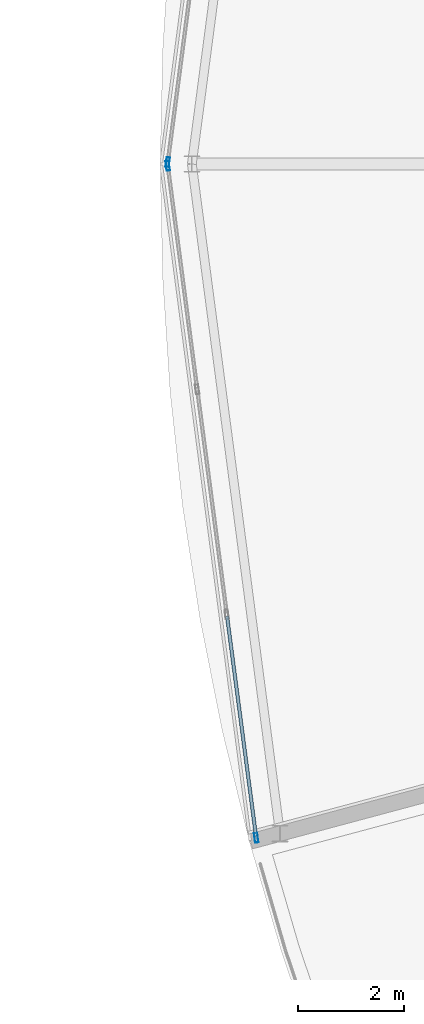
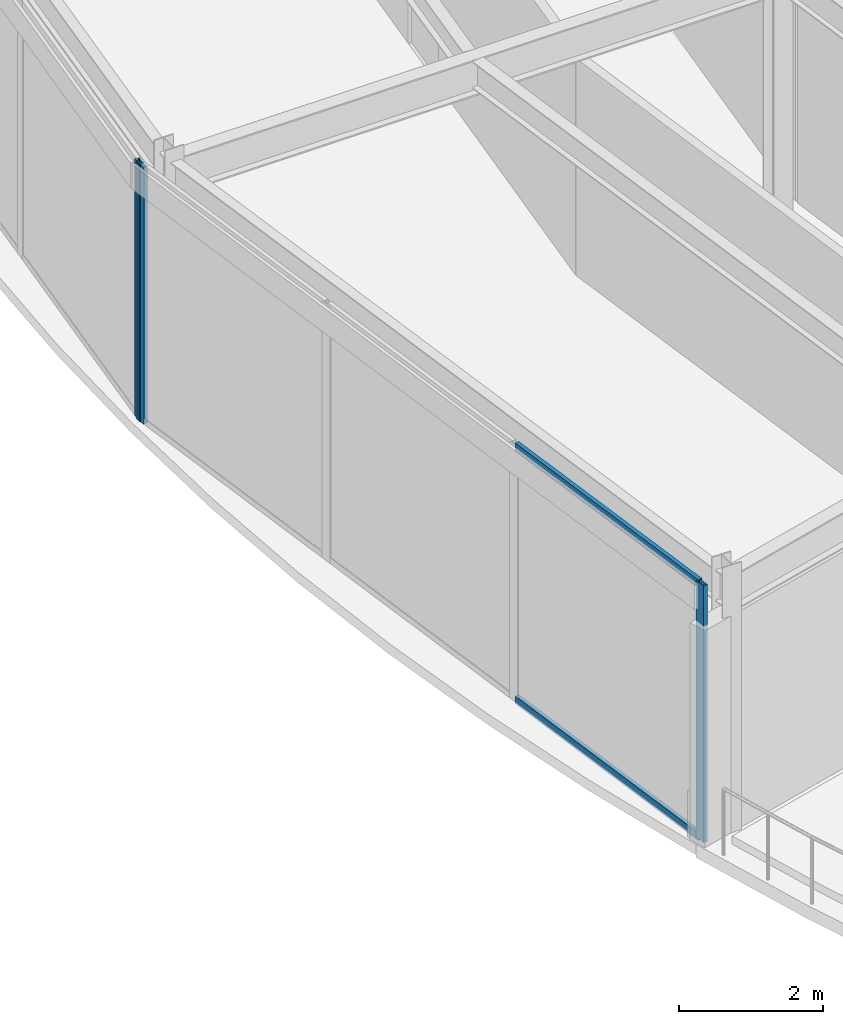
# One storey, part 18 of 116: 5 members, 2 elements without a shape of their own.
"""IFC4 building model written with IfcOpenShell, lengths in metres."""

import ifcopenshell
import ifcopenshell.guid

model = None  # the IFC model being written
_history = None  # IfcOwnerHistory: only IFC2X3 demands one
_inside = {}  # id of a spatial element -> (the spatial element, [elements in it])
_under = {}  # id of a project, library or spatial element -> (it, [spatial elements below it])
_declared = {}  # id of a project -> (the project, [libraries it declares])
_typed = {}  # id of a type object -> (the type object, [elements of that type])
_made_of = {}  # id of a material, layer set ... -> (it, [elements and type objects made of it])


def new_model(schema):
    """Start an empty IFC model of exactly this schema.

    Asked for "IFC4X3", IfcOpenShell would pick the latest addendum, in which some entities
    have other attributes; the version numbers below select the first issue.
    IFC2X3 requires an IfcOwnerHistory on every rooted entity: one is made here for all.
    """
    global model, _history
    if schema == "IFC4X3":
        model = ifcopenshell.file(schema_version=(4, 3, 0, 0))
    else:
        model = ifcopenshell.file(schema=schema)
    _inside.clear()
    _under.clear()
    _declared.clear()
    _typed.clear()
    _made_of.clear()
    _history = None
    if model.schema == "IFC2X3":
        org = make("IfcOrganization", Name="unknown")
        user = make(
            "IfcPersonAndOrganization",
            ThePerson=make("IfcPerson", FamilyName="unknown"),
            TheOrganization=org,
        )
        app = make(
            "IfcApplication",
            ApplicationDeveloper=org,
            Version="unknown",
            ApplicationFullName="unknown",
            ApplicationIdentifier="unknown",
        )
        _history = make(
            "IfcOwnerHistory",
            OwningUser=user,
            OwningApplication=app,
            ChangeAction="ADDED",
            CreationDate=0,
        )
    return model


def make(cls, **values):
    """One entity of the class cls with the attributes given. An attribute that is None is left unset."""
    return model.create_entity(
        cls, **{name: value for name, value in values.items() if value is not None}
    )


def rooted(cls, **values):
    """An entity with a GlobalId (a new one), such as an element, a storey or a relation."""
    return make(cls, GlobalId=ifcopenshell.guid.new(), OwnerHistory=_history, **values)


def si_unit(unit_type, name, prefix=None):
    """IfcSIUnit, for example si_unit("LENGTHUNIT", "METRE", prefix="MILLI")."""
    return make("IfcSIUnit", UnitType=unit_type, Prefix=prefix, Name=name)


def assignment(units):
    """IfcUnitAssignment: the units of a project."""
    return None if units is None else make("IfcUnitAssignment", Units=units)


def point(xyz):
    """IfcCartesianPoint."""
    return None if xyz is None else make("IfcCartesianPoint", Coordinates=xyz)


def direction(xyz):
    """IfcDirection."""
    return None if xyz is None else make("IfcDirection", DirectionRatios=xyz)


def frame(location, z_axis=None, x_axis=None):
    """IfcAxis2Placement3D, a coordinate frame: its origin and axes. An axis left out is left unset."""
    return make(
        "IfcAxis2Placement3D",
        Location=point(location),
        Axis=direction(z_axis),
        RefDirection=direction(x_axis),
    )


def frame_2d(location, x_axis=None):
    """IfcAxis2Placement2D, a coordinate frame in the plane: its origin and x axis."""
    return make(
        "IfcAxis2Placement2D", Location=point(location), RefDirection=direction(x_axis)
    )


def origin():
    """The frame at (0, 0, 0) with its axes left unset."""
    return frame((0.0, 0.0, 0.0))


def origin_2d():
    """The frame at (0, 0) in the plane with its x axis left unset."""
    return frame_2d((0.0, 0.0))


def place(relative_to, where):
    """IfcLocalPlacement: puts the frame where relative to a parent placement (None: the world)."""
    return make(
        "IfcLocalPlacement", PlacementRelTo=relative_to, RelativePlacement=where
    )


def context(
    kind, dimensions, precision=None, world=None, true_north=None, identifier=None
):
    """IfcGeometricRepresentationContext, for example the 3D "Model" context."""
    return make(
        "IfcGeometricRepresentationContext",
        ContextIdentifier=identifier,
        ContextType=kind,
        CoordinateSpaceDimension=dimensions,
        Precision=precision,
        WorldCoordinateSystem=world,
        TrueNorth=true_north,
    )


def subcontext(parent, identifier, kind, view, scale=None):
    """IfcGeometricRepresentationSubContext, for example "Body" below "Model"."""
    return make(
        "IfcGeometricRepresentationSubContext",
        ContextIdentifier=identifier,
        ContextType=kind,
        ParentContext=parent,
        TargetScale=scale,
        TargetView=view,
    )


def project(units=None, contexts=None):
    """IfcProject with its units and contexts."""
    return rooted(
        "IfcProject",
        Name="project",
        RepresentationContexts=contexts,
        UnitsInContext=assignment(units),
    )


def spatial(cls, under=None, at=None, **own):
    """A site, building, storey or space (cls), placed at a placement, below another one or the project."""
    s = rooted(cls, ObjectPlacement=at, **own)
    if under is not None:
        _under.setdefault(under.id(), (under, []))[1].append(s)
    return s


def profile(cls, at=None, kind="AREA", **sizes):
    """A parametric profile (cls). Its sizes go by their IFC names, for example OverallWidth=200.0."""
    return make(cls, ProfileType=kind, Position=at, **sizes)


def hollow_rectangle(**sizes):
    """IfcRectangleHollowProfileDef."""
    return profile("IfcRectangleHollowProfileDef", **sizes)


def extrude(swept, where, along, depth):
    """IfcExtrudedAreaSolid: the profile swept, set in the frame where, extruded along a direction by depth."""
    return make(
        "IfcExtrudedAreaSolid",
        SweptArea=swept,
        Position=where,
        ExtrudedDirection=direction(along),
        Depth=depth,
    )


def shape(context_of_items, identifier, shape_type, items):
    """IfcShapeRepresentation: the items that make up one representation, for example the "Body"."""
    return make(
        "IfcShapeRepresentation",
        ContextOfItems=context_of_items,
        RepresentationIdentifier=identifier,
        RepresentationType=shape_type,
        Items=items,
    )


def material(Name=None, Category=None):
    """IfcMaterial."""
    return make("IfcMaterial", Name=Name, Category=Category)


def material_profile(
    of_material, cross_section, Name=None, Category=None, Priority=None
):
    """IfcMaterialProfile: a cross section and its material."""
    return make(
        "IfcMaterialProfile",
        Name=Name,
        Material=of_material,
        Profile=cross_section,
        Priority=Priority,
        Category=Category,
    )


def profile_set(profiles, Name=None, composite=None):
    """IfcMaterialProfileSet."""
    return make(
        "IfcMaterialProfileSet",
        Name=Name,
        MaterialProfiles=profiles,
        CompositeProfile=composite,
    )


def made_of(thing, what):
    """Note that an element or type object is made of a material, layer set ...; save() writes the relation."""
    if what is not None:
        _made_of.setdefault(what.id(), (what, []))[1].append(thing)
    return thing


def type_object(cls, material=None, **own):
    """A type object (cls), such as IfcWallType, which elements share."""
    return made_of(rooted(cls, **own), material)


def element(
    cls,
    number,
    at=None,
    inside=None,
    cuts=None,
    type_object=None,
    material=None,
    context=None,
    identifier="Body",
    shape_type=None,
    held_by="IfcProductDefinitionShape",
    body=None,
    shapes=None,
    **own,
):
    """One element of the class cls, such as IfcWall. Its Tag is "e" and its number.

    at: its placement. inside: the storey or other place that contains it. cuts: it is an
    opening in that element (IfcRelVoidsElement). A single representation is given by context,
    identifier, shape_type and body (its items); several are given by shapes. held_by: the class
    of the entity that holds the representations. save() writes the other relations.
    """
    e = rooted(cls, Tag="e%d" % number, ObjectPlacement=at, **own)
    if body is not None:
        shapes = [shape(context, identifier, shape_type, body)]
    if shapes is not None:
        e.Representation = make(held_by, Representations=shapes)
    if inside is not None:
        _inside.setdefault(inside.id(), (inside, []))[1].append(e)
    if cuts is not None:
        rooted(
            "IfcRelVoidsElement", RelatingBuildingElement=cuts, RelatedOpeningElement=e
        )
    if type_object is not None:
        _typed.setdefault(type_object.id(), (type_object, []))[1].append(e)
    return made_of(e, material)


def aggregate(whole, parts):
    """IfcRelAggregates: a whole, such as a stair, and the parts it consists of."""
    return rooted("IfcRelAggregates", RelatingObject=whole, RelatedObjects=parts)


def save(model, path):
    """Write the relations noted so far, then the file.

    IfcRelAggregates (storeys below a building ...), IfcRelContainedInSpatialStructure (elements
    in a storey), IfcRelDefinesByType, IfcRelAssociatesMaterial and IfcRelDeclares: one each for
    every whole, place, type object, material and project.
    """
    for whole, parts in _under.values():
        aggregate(whole, parts)
    for where, things in _inside.values():
        rooted(
            "IfcRelContainedInSpatialStructure",
            RelatedElements=things,
            RelatingStructure=where,
        )
    for kind, things in _typed.values():
        rooted("IfcRelDefinesByType", RelatedObjects=things, RelatingType=kind)
    for what, things in _made_of.values():
        rooted("IfcRelAssociatesMaterial", RelatedObjects=things, RelatingMaterial=what)
    for by, libraries in _declared.values():
        rooted("IfcRelDeclares", RelatingContext=by, RelatedDefinitions=libraries)
    model.write(path)


model = new_model("IFC4")

# Units and contexts
model_context = context("Model", 3, precision=1e-05, world=origin(), true_north=direction((0.0, 1.0)))
body_context = subcontext(model_context, "Body", "Model", "MODEL_VIEW")
ifc_project = project(units=[si_unit("LENGTHUNIT", "METRE"), si_unit("AREAUNIT", "SQUARE_METRE"), si_unit("VOLUMEUNIT", "CUBIC_METRE"), si_unit("PLANEANGLEUNIT", "RADIAN"), si_unit("MASSUNIT", "GRAM", prefix="KILO")], contexts=[model_context])

# Site, building, storey
site_placement = place(None, origin())
site = spatial("IfcSite", under=ifc_project, at=site_placement, CompositionType="ELEMENT")
building_placement = place(site_placement, origin())
building = spatial("IfcBuilding", under=site, at=building_placement, Name="Almandine Court Research Institute", CompositionType="ELEMENT")
storey_placement = place(building_placement, frame((0.0, 0.0, 14.35009765625)))
storey = spatial("IfcBuildingStorey", under=building, at=storey_placement, Name="L03", CompositionType="ELEMENT", Elevation=14.35009765625)

# Curtain wall, member
ifc_material_1 = material(Name="Unitised Curtain Wall Framing and Solar Glazing", Category="glass")
curtain_wall_type = type_object("IfcCurtainWallType", Name="CW-CWJ-19", PredefinedType="USERDEFINED", material=ifc_material_1)
curtain_wall_1_placement = place(storey_placement, origin())
curtain_wall_1 = element("IfcCurtainWall", 1, at=curtain_wall_1_placement, inside=storey, type_object=curtain_wall_type, Name="L03 Stacked-Ring Drum Outer Solar Jali Screen 11", ObjectType="SOLAR JALI SCREEN", PredefinedType="USERDEFINED")
ifc_material_2 = material(Name="Anodised Aluminium AW-6063-T6", Category="aluminium")
ifc_material_profile_1 = material_profile(ifc_material_2, hollow_rectangle(XDim=0.06494140625, YDim=0.179931640625, WallThickness=0.00390625, at=origin_2d()), Name="ALU RHS 65x180x4")
ifc_profile_set_1 = profile_set([ifc_material_profile_1], Name="Anodised Aluminium AW-6063-T6")
member_type_1 = type_object("IfcMemberType", Name="CWMul-65x180", PredefinedType="MULLION", material=ifc_profile_set_1)
member_1_placement = place(storey_placement, frame((37.644287109375, 56.0361328125, 0.0), z_axis=(0.0, 0.0, 1.0), x_axis=(-0.991442926098, 0.130540891259, 0.0)))
member_1 = element("IfcMember", 2, at=member_1_placement, type_object=member_type_1, Name="CWJ-19 mullion 1", PredefinedType="MULLION", context=body_context, shape_type="SweptSolid", body=[
    extrude(hollow_rectangle(XDim=0.06494140625, YDim=0.179931640625, WallThickness=0.00390625, at=origin_2d()), origin(), (0.0, 0.0, 1.0), 4.369873046875),
])
aggregate(curtain_wall_1, [member_1])

# Curtain wall, members
curtain_wall_2_placement = place(storey_placement, origin())
curtain_wall_2 = element("IfcCurtainWall", 3, at=curtain_wall_2_placement, inside=storey, type_object=curtain_wall_type, Name="L03 Stacked-Ring Drum Outer Solar Jali Screen 12", ObjectType="SOLAR JALI SCREEN", PredefinedType="USERDEFINED")
member_2_placement = place(storey_placement, frame((39.316650390625, 43.26123046875, 0.0), z_axis=(0.0, 0.0, 1.0), x_axis=(-0.991442926098, -0.130540891259, 0.0)))
member_2 = element("IfcMember", 4, at=member_2_placement, type_object=member_type_1, Name="CWJ-19 mullion 1", PredefinedType="MULLION", context=body_context, shape_type="SweptSolid", body=[
    extrude(hollow_rectangle(XDim=0.06494140625, YDim=0.179931640625, WallThickness=0.00390625, at=origin_2d()), origin(), (0.0, 0.0, 1.0), 4.369873046875),
])
member_3_placement = place(storey_placement, frame((37.644287109375, 55.9638671875, 0.0), z_axis=(0.0, 0.0, 1.0), x_axis=(-0.991442926098, -0.130540891259, 0.0)))
member_3 = element("IfcMember", 5, at=member_3_placement, type_object=member_type_1, Name="CWJ-19 mullion 4", PredefinedType="MULLION", context=body_context, shape_type="SweptSolid", body=[
    extrude(hollow_rectangle(XDim=0.06494140625, YDim=0.179931640625, WallThickness=0.00390625, at=origin_2d()), origin(), (0.0, 0.0, 1.0), 4.369873046875),
])
ifc_material_profile_2 = material_profile(ifc_material_2, hollow_rectangle(XDim=0.06494140625, YDim=0.1298828125, WallThickness=0.00390625, at=origin_2d()), Name="ALU RHS 65x130x4")
ifc_profile_set_2 = profile_set([ifc_material_profile_2], Name="Anodised Aluminium AW-6063-T6")
member_type_2 = type_object("IfcMemberType", Name="CWTrn-65x130", PredefinedType="NOTDEFINED", material=ifc_profile_set_2)
member_4_placement = place(storey_placement, frame((39.3125, 43.29345703125, 0.032470703125), z_axis=(-0.130543337873, 0.991442603955, 0.0), x_axis=(-0.991442603955, -0.130543337873, 0.0)))
member_4 = element("IfcMember", 6, at=member_4_placement, type_object=member_type_2, Name="CWJ-19 transom 1.1", ObjectType="TRANSOM", PredefinedType="USERDEFINED", context=body_context, shape_type="SweptSolid", body=[
    extrude(hollow_rectangle(XDim=0.06494140625, YDim=0.1298828125, WallThickness=0.00390625, at=origin_2d()), origin(), (0.0, 0.0, 1.0), 4.19482421875),
])
member_5_placement = place(storey_placement, frame((39.3125, 43.29345703125, 4.33740234375), z_axis=(-0.130543337873, 0.991442603955, 0.0), x_axis=(-0.991442603955, -0.130543337873, 0.0)))
member_5 = element("IfcMember", 7, at=member_5_placement, type_object=member_type_2, Name="CWJ-19 transom 1.2", ObjectType="TRANSOM", PredefinedType="USERDEFINED", context=body_context, shape_type="SweptSolid", body=[
    extrude(hollow_rectangle(XDim=0.06494140625, YDim=0.1298828125, WallThickness=0.00390625, at=origin_2d()), origin(), (0.0, 0.0, 1.0), 4.19482421875),
])
aggregate(curtain_wall_2, [member_2, member_3, member_4, member_5])

save(model, "model.ifc")
